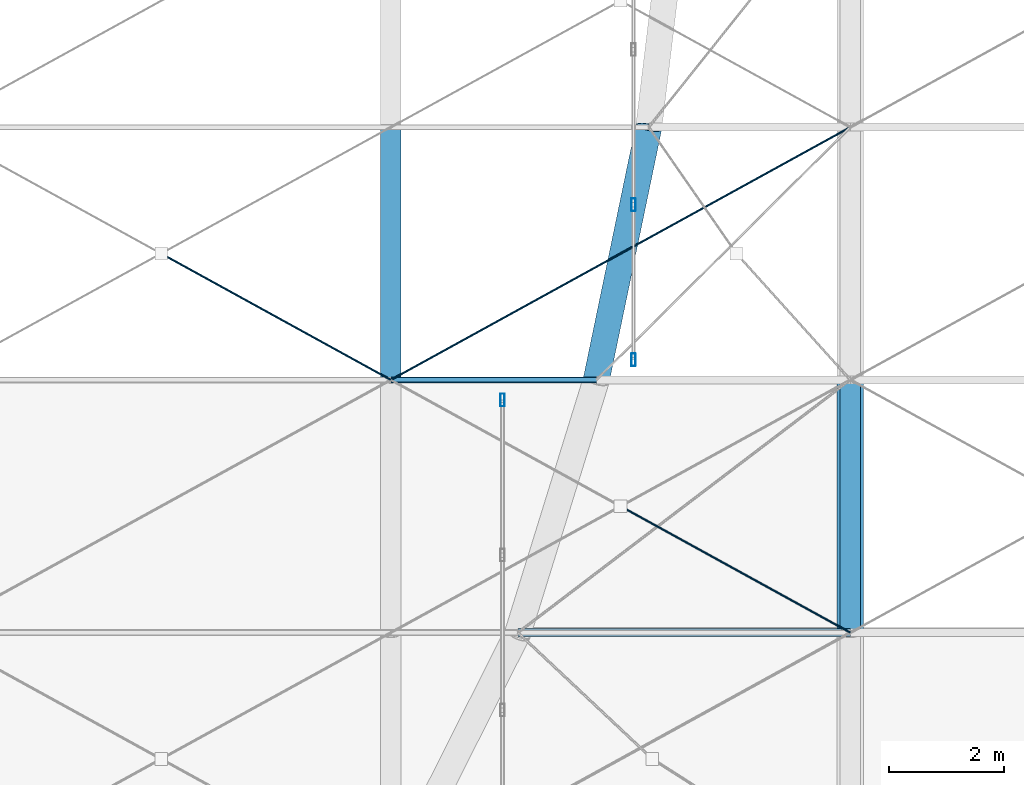
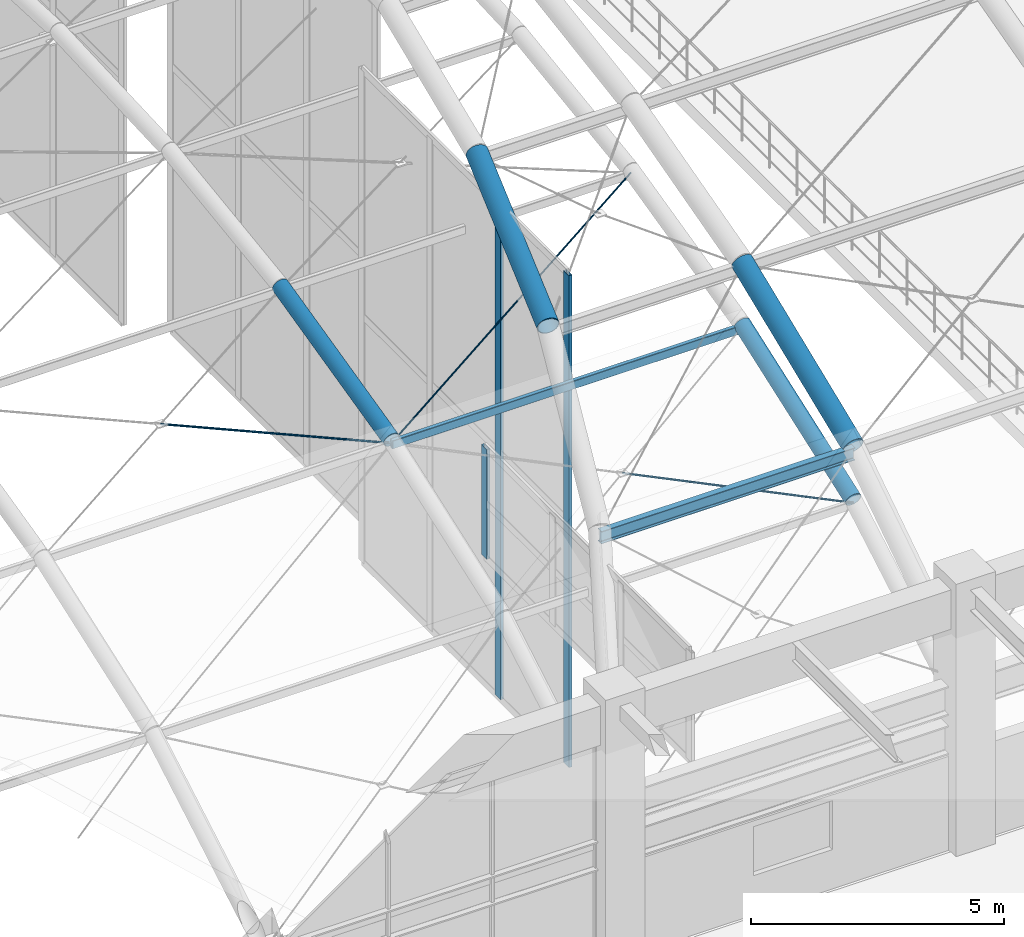
# One storey, part 18 of 163: 6 beams, 6 members, 2 elements without a shape of their own.
"""IFC4 building model written with IfcOpenShell, lengths in metres."""

from ifc_helpers import new_model, si_unit, direction, frame, origin, origin_2d, place, context, subcontext, project, spatial, hollow_rectangle, circle, hollow_circle, i_section, extrude, material, material_profile, profile_set, type_object, element, aggregate, save


model = new_model("IFC4")

# Units and contexts
model_context = context("Model", 3, precision=1e-05, world=origin(), true_north=direction((0.0, 1.0)))
body_context = subcontext(model_context, "Body", "Model", "MODEL_VIEW")
ifc_project = project(units=[si_unit("LENGTHUNIT", "METRE"), si_unit("AREAUNIT", "SQUARE_METRE"), si_unit("VOLUMEUNIT", "CUBIC_METRE"), si_unit("PLANEANGLEUNIT", "RADIAN"), si_unit("MASSUNIT", "GRAM", prefix="KILO")], contexts=[model_context])

# Site, building, storey
site_placement = place(None, origin())
site = spatial("IfcSite", under=ifc_project, at=site_placement, CompositionType="ELEMENT")
building_placement = place(site_placement, origin())
building = spatial("IfcBuilding", under=site, at=building_placement, Name="Varnabhumi Central Station", CompositionType="ELEMENT")
storey_placement = place(building_placement, frame((0.0, 0.0, 9.60009765625)))
storey = spatial("IfcBuildingStorey", under=building, at=storey_placement, Name="L02", CompositionType="ELEMENT", Elevation=9.60009765625)

# Beams
ifc_material_1 = material(Name="Structural steel E350", Category="steel")
ifc_material_profile_1 = material_profile(ifc_material_1, hollow_circle(Radius=0.177734375, WallThickness=0.012451171875, at=origin_2d()), Name="Structural steel E350", Category="steel")
ifc_profile_set_1 = profile_set([ifc_material_profile_1], Name="Structural steel E350")
beam_type_1 = type_object("IfcBeamType", Name="BM-ARCH-CHS355", PredefinedType="BEAM", material=ifc_profile_set_1)
beam_1_placement = place(storey_placement, frame((40.0, 44.800048828125, 7.127685546875), z_axis=(0.0, 0.972451917694, 0.2331035559), x_axis=(-1.0, 0.0, 0.0)))
element("IfcBeam", 1, at=beam_1_placement, inside=storey, type_object=beam_type_1, Name="Entrance Portico Vault Arch Rib 4 Seg 3", PredefinedType="BEAM", context=body_context, shape_type="SweptSolid", body=[
    extrude(hollow_circle(Radius=0.177734375, WallThickness=0.012451171875, at=origin_2d()), origin(), (0.0, 0.0, 1.0), 4.524658203125),
])
beam_2_placement = place(storey_placement, frame((48.0, 40.39990234375, 5.554443359375), z_axis=(0.0, 0.941622467523, 0.336670653094), x_axis=(-1.0, 0.0, 0.0)))
element("IfcBeam", 2, at=beam_2_placement, inside=storey, type_object=beam_type_1, Name="Entrance Portico Vault Arch Rib 5 Seg 2", PredefinedType="BEAM", context=body_context, shape_type="SweptSolid", body=[
    extrude(hollow_circle(Radius=0.177734375, WallThickness=0.012451171875, at=origin_2d()), origin(), (0.0, 0.0, 1.0), 4.6728515625),
])
ifc_material_2 = material(Name="Structural steel E450", Category="steel")
ifc_material_profile_2 = material_profile(ifc_material_2, hollow_circle(Radius=0.228515625, WallThickness=0.01611328125, at=origin_2d()), Name="Structural steel E450", Category="steel")
ifc_profile_set_2 = profile_set([ifc_material_profile_2], Name="Structural steel E450")
beam_type_2 = type_object("IfcBeamType", Name="BM-ARCH-CHS457", PredefinedType="BEAM", material=ifc_profile_set_2)
beam_3_placement = place(storey_placement, frame((43.577392578125, 44.800048828125, 8.6279296875), z_axis=(0.196568385862, 0.946195365922, 0.257050966128), x_axis=(-0.979095067091, 0.20340317008, 0.0)))
element("IfcBeam", 3, at=beam_3_placement, inside=storey, type_object=beam_type_2, Name="Ticket Hall Vault Arch Rib 1 Seg 3", PredefinedType="BEAM", context=body_context, shape_type="SweptSolid", body=[
    extrude(hollow_circle(Radius=0.228515625, WallThickness=0.01611328125, at=origin_2d()), origin(), (0.0, 0.0, 1.0), 4.650146484375),
])
beam_4_placement = place(storey_placement, frame((48.0, 40.39990234375, 6.844970703125), z_axis=(0.0, 0.926804098242, 0.37554515505), x_axis=(-1.0, 0.0, 0.0)))
element("IfcBeam", 4, at=beam_4_placement, inside=storey, type_object=beam_type_2, Name="Ticket Hall Vault Arch Rib 2 Seg 2", PredefinedType="BEAM", context=body_context, shape_type="SweptSolid", body=[
    extrude(hollow_circle(Radius=0.228515625, WallThickness=0.01611328125, at=origin_2d()), origin(), (0.0, 0.0, 1.0), 4.74755859375),
])
ifc_material_profile_3 = material_profile(ifc_material_1, i_section(OverallWidth=0.139892578125, OverallDepth=0.300048828125, WebThickness=0.0078125, FlangeThickness=0.01318359375, FilletRadius=0.013916015625, at=origin_2d()), Name="Structural steel E350", Category="steel")
ifc_profile_set_3 = profile_set([ifc_material_profile_3], Name="Structural steel E350")
beam_type_3 = type_object("IfcBeamType", Name="BM-PUR-ISMB300", PredefinedType="LINTEL", material=ifc_profile_set_3)
beam_5_placement = place(storey_placement, frame((42.2138671875, 40.39990234375, 6.695068359375), z_axis=(1.0, 0.0, 0.0), x_axis=(0.0, 1.0, 0.0)))
element("IfcBeam", 5, at=beam_5_placement, inside=storey, type_object=beam_type_3, Name="Ticket Hall Vault Purlin B1-L1", PredefinedType="LINTEL", context=body_context, shape_type="SweptSolid", body=[
    extrude(i_section(OverallWidth=0.139892578125, OverallDepth=0.300048828125, WebThickness=0.0078125, FlangeThickness=0.01318359375, FilletRadius=0.013916015625, at=origin_2d()), origin(), (0.0, 0.0, 1.0), 5.7861328125),
])
ifc_material_profile_4 = material_profile(ifc_material_1, hollow_rectangle(XDim=0.10009765625, YDim=0.199951171875, WallThickness=0.008056640625, InnerFilletRadius=0.008056640625, OuterFilletRadius=0.01611328125, at=origin_2d()), Name="Structural steel E350", Category="steel")
ifc_profile_set_4 = profile_set([ifc_material_profile_4], Name="Structural steel E350")
beam_type_4 = type_object("IfcBeamType", Name="BM-PUR-RHS200", PredefinedType="JOIST", material=ifc_profile_set_4)
beam_6_placement = place(storey_placement, frame((40.0, 44.800048828125, 7.027587890625), z_axis=(1.0, 0.0, 0.0), x_axis=(0.0, 1.0, 0.0)))
element("IfcBeam", 6, at=beam_6_placement, inside=storey, type_object=beam_type_4, Name="Entrance Portico Vault Purlin B4-L2", PredefinedType="JOIST", context=body_context, shape_type="SweptSolid", body=[
    extrude(hollow_rectangle(XDim=0.10009765625, YDim=0.199951171875, WallThickness=0.008056640625, InnerFilletRadius=0.008056640625, OuterFilletRadius=0.01611328125, at=origin_2d()), origin(), (0.0, 0.0, 1.0), 8.0),
])

# Curtain wall, member
ifc_material_3 = material(Name="Anodised aluminium 6063-T6", Category="aluminium")
curtain_wall_type = type_object("IfcCurtainWallType", Name="CW-VAULT-ARCH-V3", PredefinedType="NOTDEFINED", material=ifc_material_3)
curtain_wall_1_placement = place(storey_placement, origin())
curtain_wall_1 = element("IfcCurtainWall", 7, at=curtain_wall_1_placement, inside=storey, type_object=curtain_wall_type, Name="Curtain Wall CW-V31", PredefinedType="NOTDEFINED")
ifc_material_profile_5 = material_profile(ifc_material_3, hollow_rectangle(XDim=0.074951171875, YDim=0.219970703125, WallThickness=0.0048828125, InnerFilletRadius=0.0009765625, OuterFilletRadius=0.006103515625, at=origin_2d()), Name="Anodised aluminium 6063-T6", Category="aluminium")
ifc_profile_set_5 = profile_set([ifc_material_profile_5], Name="Anodised aluminium 6063-T6")
member_type_1 = type_object("IfcMemberType", Name="CW-MUL-220", PredefinedType="MULLION", material=ifc_profile_set_5)
member_1_placement = place(storey_placement, frame((41.946044921875, 44.449951171875, 3.849853515625), z_axis=(0.0, 0.0, 1.0), x_axis=(1.0, 0.0, 0.0)))
member_1 = element("IfcMember", 8, at=member_1_placement, type_object=member_type_1, Name="Curtain Wall Mullion CW-V31-M4", PredefinedType="MULLION", context=body_context, shape_type="SweptSolid", body=[
    extrude(hollow_rectangle(XDim=0.074951171875, YDim=0.219970703125, WallThickness=0.0048828125, InnerFilletRadius=0.0009765625, OuterFilletRadius=0.006103515625, at=origin_2d()), origin(), (0.0, 0.0, 1.0), 2.645263671875),
])
aggregate(curtain_wall_1, [member_1])

# Curtain wall, members
curtain_wall_2_placement = place(storey_placement, origin())
curtain_wall_2 = element("IfcCurtainWall", 9, at=curtain_wall_2_placement, inside=storey, type_object=curtain_wall_type, Name="Curtain Wall CW-V32", PredefinedType="NOTDEFINED")
member_2_placement = place(storey_placement, frame((44.22412109375, 45.14990234375, -2.400146484375), z_axis=(0.0, 0.0, 1.0), x_axis=(1.0, 0.0, 0.0)))
member_2 = element("IfcMember", 10, at=member_2_placement, type_object=member_type_1, Name="Curtain Wall Mullion CW-V32-M1", PredefinedType="MULLION", context=body_context, shape_type="SweptSolid", body=[
    extrude(hollow_rectangle(XDim=0.074951171875, YDim=0.219970703125, WallThickness=0.0048828125, InnerFilletRadius=0.0009765625, OuterFilletRadius=0.006103515625, at=origin_2d()), origin(), (0.0, 0.0, 1.0), 11.87353515625),
])
member_3_placement = place(storey_placement, frame((44.22412109375, 47.85009765625, -2.400146484375), z_axis=(0.0, 0.0, 1.0), x_axis=(1.0, 0.0, 0.0)))
member_3 = element("IfcMember", 11, at=member_3_placement, type_object=member_type_1, Name="Curtain Wall Mullion CW-V32-M2", PredefinedType="MULLION", context=body_context, shape_type="SweptSolid", body=[
    extrude(hollow_rectangle(XDim=0.074951171875, YDim=0.219970703125, WallThickness=0.0048828125, InnerFilletRadius=0.0009765625, OuterFilletRadius=0.006103515625, at=origin_2d()), origin(), (0.0, 0.0, 1.0), 11.87353515625),
])
aggregate(curtain_wall_2, [member_2, member_3])

# Members
ifc_material_4 = material(Name="Spiral-strand steel S1570", Category="steel")
ifc_material_profile_6 = material_profile(ifc_material_4, circle(Radius=0.01806640625, at=origin_2d()), Name="Spiral-strand steel S1570", Category="steel")
ifc_profile_set_6 = profile_set([ifc_material_profile_6], Name="Spiral-strand steel S1570")
member_type_2 = type_object("IfcMemberType", Name="MBR-CABLE-D36", PredefinedType="USERDEFINED", material=ifc_profile_set_6)
member_4_placement = place(storey_placement, frame((36.0, 47.0, 7.574951171875), z_axis=(0.870432037619, -0.478726995299, -0.114754223709), x_axis=(0.481910537812, 0.876220425204, 0.0)))
element("IfcMember", 12, at=member_4_placement, inside=storey, type_object=member_type_2, Name="Entrance Portico Vault Cable-Net Split Tie B3-P3B2", ObjectType="TENSION CABLE", PredefinedType="USERDEFINED", context=body_context, shape_type="SweptSolid", body=[
    extrude(circle(Radius=0.01806640625, at=origin_2d()), origin(), (0.0, 0.0, 1.0), 4.595458984375),
])
member_5_placement = place(storey_placement, frame((44.0, 42.60009765625, 6.260986328125), z_axis=(0.863473183898, -0.47495241292, -0.169806555085), x_axis=(0.481951596342, 0.876197842262, 0.0)))
element("IfcMember", 13, at=member_5_placement, inside=storey, type_object=member_type_2, Name="Entrance Portico Vault Cable-Net Split Tie B4-P2B2", ObjectType="TENSION CABLE", PredefinedType="USERDEFINED", context=body_context, shape_type="SweptSolid", body=[
    extrude(circle(Radius=0.01806640625, at=origin_2d()), origin(), (0.0, 0.0, 1.0), 4.632568359375),
])
member_6_placement = place(storey_placement, frame((40.0, 44.800048828125, 7.047607421875), z_axis=(0.870432037619, 0.478726995299, 0.114754223709), x_axis=(-0.481910537812, 0.876220425204, 0.0)))
element("IfcMember", 14, at=member_6_placement, inside=storey, type_object=member_type_2, Name="Entrance Portico Vault Cable-Net Tie B4-P3A", ObjectType="TENSION CABLE", PredefinedType="USERDEFINED", context=body_context, shape_type="SweptSolid", body=[
    extrude(circle(Radius=0.01806640625, at=origin_2d()), origin(), (0.0, 0.0, 1.0), 9.19091796875),
])

save(model, "model.ifc")
